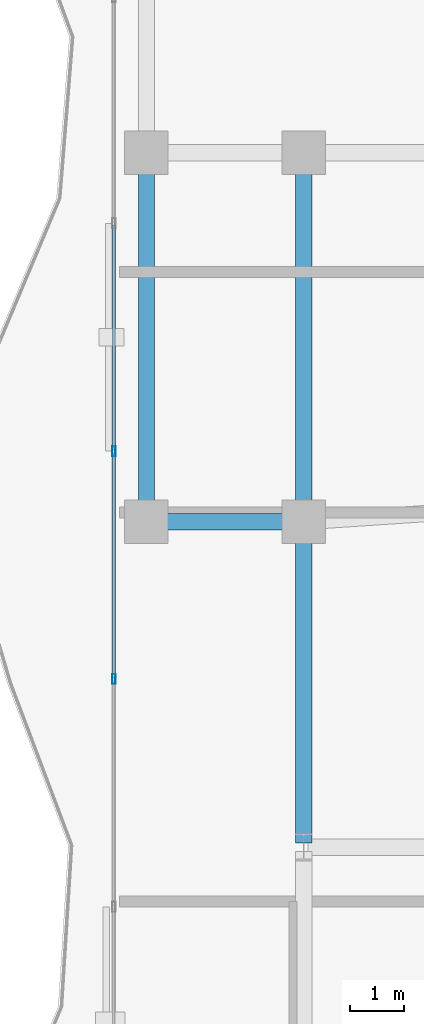
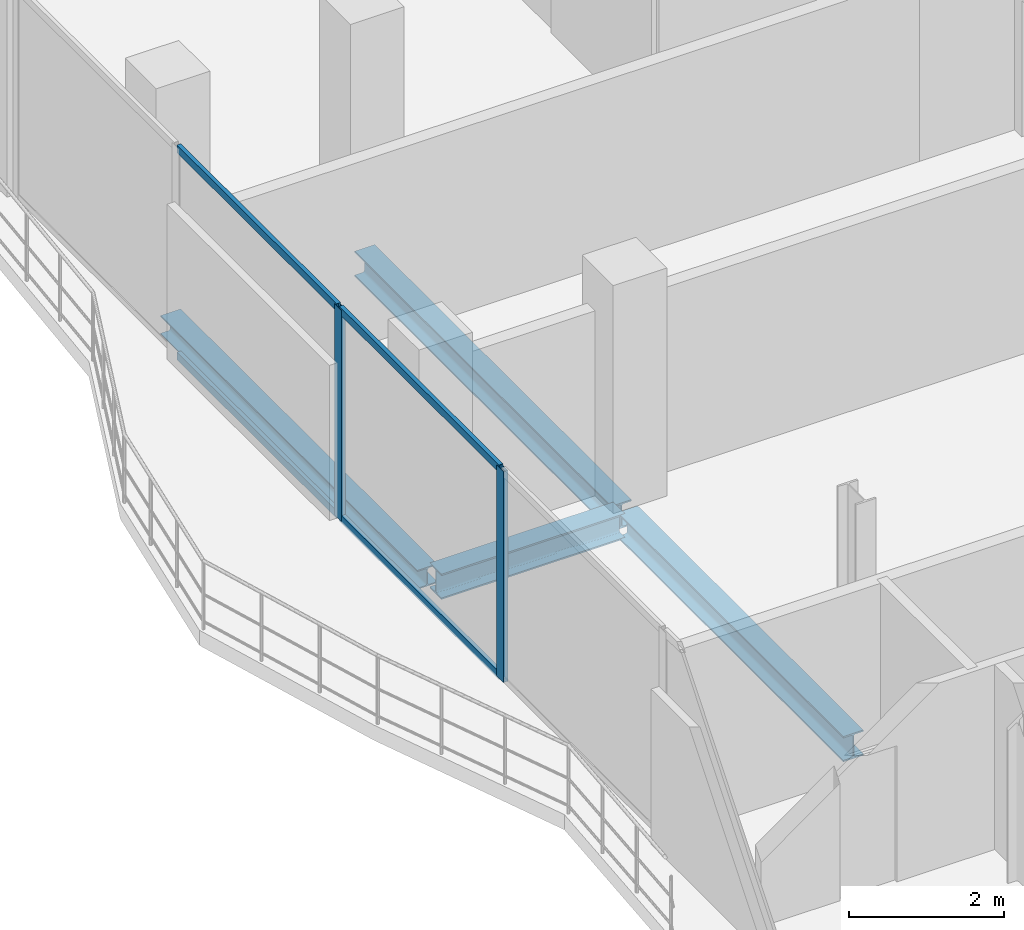
# One storey, part 7 of 23: 6 members, 4 beams, 1 element without a shape of its own.
"""IFC4 building model written with IfcOpenShell, lengths in metres."""

from ifc_helpers import new_model, si_unit, direction, frame, origin, origin_2d, place, context, subcontext, project, spatial, hollow_rectangle, i_section, extrude, material, layer, layer_set, material_profile, profile_set, type_object, element, aggregate, save


model = new_model("IFC4")

# Units and contexts
model_context = context("Model", 3, precision=1e-05, world=origin(), true_north=direction((0.0, 1.0)))
body_context = subcontext(model_context, "Body", "Model", "MODEL_VIEW")
ifc_project = project(units=[si_unit("LENGTHUNIT", "METRE"), si_unit("AREAUNIT", "SQUARE_METRE"), si_unit("VOLUMEUNIT", "CUBIC_METRE"), si_unit("PLANEANGLEUNIT", "RADIAN"), si_unit("MASSUNIT", "GRAM", prefix="KILO")], contexts=[model_context])

# Site, building, storey
site_placement = place(None, origin())
site = spatial("IfcSite", under=ifc_project, at=site_placement, CompositionType="ELEMENT")
building_placement = place(site_placement, origin())
building = spatial("IfcBuilding", under=site, at=building_placement, Name="Catumbela Crestline Tower", CompositionType="ELEMENT")
storey_placement = place(building_placement, frame((0.0, 0.0, 183.0)))
storey = spatial("IfcBuildingStorey", under=building, at=storey_placement, Name="L47", CompositionType="ELEMENT", Elevation=183.0)

# Beams
ifc_material_1 = material(Name="Structural steel S355J2", Category="steel")
ifc_material_profile_1 = material_profile(ifc_material_1, i_section(OverallWidth=0.3, OverallDepth=0.4, WebThickness=0.0135, FlangeThickness=0.024, FilletRadius=0.027, at=origin_2d()), Name="HEB 400")
ifc_profile_set_1 = profile_set([ifc_material_profile_1], Name="Structural steel S355J2")
beam_type_1 = type_object("IfcBeamType", Name="BG-HEB400", PredefinedType="BEAM", material=ifc_profile_set_1)
beam_1_placement = place(storey_placement, frame((5.68, 24.0, -0.46), z_axis=(1.0, 0.0, 0.0), x_axis=(0.0, 1.0, 0.0)))
element("IfcBeam", 1, at=beam_1_placement, inside=storey, type_object=beam_type_1, Name="L47 Beam BM-L47-S01", PredefinedType="BEAM", context=body_context, shape_type="SweptSolid", body=[
    extrude(i_section(OverallWidth=0.3, OverallDepth=0.4, WebThickness=0.0135, FlangeThickness=0.024, FilletRadius=0.027, at=origin_2d()), origin(), (0.0, 0.0, 1.0), 2.74),
])
beam_2_placement = place(storey_placement, frame((8.5, 24.08, -0.46), z_axis=(0.0, 1.0, 0.0), x_axis=(-1.0, 0.0, 0.0)))
element("IfcBeam", 2, at=beam_2_placement, inside=storey, type_object=beam_type_1, Name="L47 Beam BM-L47-SN16", PredefinedType="BEAM", context=body_context, shape_type="SweptSolid", body=[
    extrude(i_section(OverallWidth=0.3, OverallDepth=0.4, WebThickness=0.0135, FlangeThickness=0.024, FilletRadius=0.027, at=origin_2d()), origin(), (0.0, 0.0, 1.0), 6.64),
])
beam_3_placement = place(storey_placement, frame((8.5, 18.08, -0.46), z_axis=(0.0, 1.0, 0.0), x_axis=(-1.0, 0.0, 0.0)))
element("IfcBeam", 3, at=beam_3_placement, inside=storey, type_object=beam_type_1, Name="L47 Beam BM-L47-WNS39", PredefinedType="BEAM", context=body_context, shape_type="SweptSolid", body=[
    extrude(i_section(OverallWidth=0.3, OverallDepth=0.4, WebThickness=0.0135, FlangeThickness=0.024, FilletRadius=0.027, at=origin_2d()), origin(), (0.0, 0.0, 1.0), 5.84),
])

# Curtain wall, members
ifc_material_2 = material(Name="Aluminium alloy AW-6060-T66", Category="aluminium")
ifc_layer = layer(ifc_material_2, 0.18, Name="Aluminium alloy AW-6060-T66")
ifc_layer_set = layer_set([ifc_layer], Name="Aluminium alloy AW-6060-T66")
curtain_wall_type = type_object("IfcCurtainWallType", Name="CWU-Z3", PredefinedType="USERDEFINED", material=ifc_layer_set)
curtain_wall_placement = place(storey_placement, origin())
curtain_wall = element("IfcCurtainWall", 4, at=curtain_wall_placement, inside=storey, type_object=curtain_wall_type, Name="L47 Unitised Curtain Wall CW-L47-E9S2", ObjectType="UNITISED", PredefinedType="USERDEFINED")
ifc_material_profile_2 = material_profile(ifc_material_2, hollow_rectangle(XDim=0.065, YDim=0.18, WallThickness=0.004, at=origin_2d()), Name="ALU 180x65x4")
ifc_profile_set_2 = profile_set([ifc_material_profile_2], Name="Aluminium alloy AW-6060-T66")
member_type_1 = type_object("IfcMemberType", Name="MUL-180X65", PredefinedType="MULLION", material=ifc_profile_set_2)
member_1_placement = place(storey_placement, frame((5.0, 25.3, 0.0), z_axis=(0.0, 0.0, 1.0), x_axis=(1.0, 0.0, 0.0)))
member_1 = element("IfcMember", 5, at=member_1_placement, type_object=member_type_1, Name="CWU-Z3 mullion 3", PredefinedType="MULLION", context=body_context, shape_type="SweptSolid", body=[
    extrude(hollow_rectangle(XDim=0.065, YDim=0.18, WallThickness=0.004, at=origin_2d()), origin(), (0.0, 0.0, 1.0), 3.33),
])
member_2_placement = place(storey_placement, frame((5.0, 21.1, 0.0), z_axis=(0.0, 0.0, 1.0), x_axis=(1.0, 0.0, 0.0)))
member_2 = element("IfcMember", 6, at=member_2_placement, type_object=member_type_1, Name="CWU-Z3 mullion 4", PredefinedType="MULLION", context=body_context, shape_type="SweptSolid", body=[
    extrude(hollow_rectangle(XDim=0.065, YDim=0.18, WallThickness=0.004, at=origin_2d()), origin(), (0.0, 0.0, 1.0), 3.33),
])

# Beam
ifc_material_profile_3 = material_profile(ifc_material_1, i_section(OverallWidth=0.3, OverallDepth=0.3, WebThickness=0.011, FlangeThickness=0.019, FilletRadius=0.027, at=origin_2d()), Name="HEB 300")
ifc_profile_set_3 = profile_set([ifc_material_profile_3], Name="Structural steel S355J2")
beam_type_2 = type_object("IfcBeamType", Name="BS-HEB300", PredefinedType="SPANDREL", material=ifc_profile_set_3)
beam_4_placement = place(storey_placement, frame((5.6, 24.08, -0.41), z_axis=(0.0, 1.0, 0.0), x_axis=(-1.0, 0.0, 0.0)))
element("IfcBeam", 7, at=beam_4_placement, inside=storey, type_object=beam_type_2, Name="L47 Spandrel SP-L47-SN14", PredefinedType="SPANDREL", context=body_context, shape_type="SweptSolid", body=[
    extrude(i_section(OverallWidth=0.3, OverallDepth=0.3, WebThickness=0.011, FlangeThickness=0.019, FilletRadius=0.027, at=origin_2d()), origin(), (0.0, 0.0, 1.0), 6.64),
])

# Member
ifc_material_profile_4 = material_profile(ifc_material_2, hollow_rectangle(XDim=0.06, YDim=0.12, WallThickness=0.0035, at=origin_2d()), Name="ALU 120x60x3.5")
ifc_profile_set_4 = profile_set([ifc_material_profile_4], Name="Aluminium alloy AW-6060-T66")
member_type_2 = type_object("IfcMemberType", Name="TRN-120X60", PredefinedType="USERDEFINED", material=ifc_profile_set_4)
member_3_placement = place(storey_placement, frame((5.0, 29.4675, 0.03), z_axis=(0.0, -1.0, 0.0), x_axis=(1.0, 0.0, 0.0)))
member_3 = element("IfcMember", 8, at=member_3_placement, type_object=member_type_2, Name="CWU-Z3 transom 2.1", ObjectType="TRANSOM", PredefinedType="USERDEFINED", context=body_context, shape_type="SweptSolid", body=[
    extrude(hollow_rectangle(XDim=0.06, YDim=0.12, WallThickness=0.0035, at=origin_2d()), origin(), (0.0, 0.0, 1.0), 4.135),
])

member_4_placement = place(storey_placement, frame((5.0, 29.4675, 3.3), z_axis=(0.0, -1.0, 0.0), x_axis=(1.0, 0.0, 0.0)))
member_4 = element("IfcMember", 9, at=member_4_placement, type_object=member_type_2, Name="CWU-Z3 transom 2.2", ObjectType="TRANSOM", PredefinedType="USERDEFINED", context=body_context, shape_type="SweptSolid", body=[
    extrude(hollow_rectangle(XDim=0.06, YDim=0.12, WallThickness=0.0035, at=origin_2d()), origin(), (0.0, 0.0, 1.0), 4.135),
])

member_5_placement = place(storey_placement, frame((5.0, 25.2675, 0.03), z_axis=(0.0, -1.0, 0.0), x_axis=(1.0, 0.0, 0.0)))
member_5 = element("IfcMember", 10, at=member_5_placement, type_object=member_type_2, Name="CWU-Z3 transom 3.1", ObjectType="TRANSOM", PredefinedType="USERDEFINED", context=body_context, shape_type="SweptSolid", body=[
    extrude(hollow_rectangle(XDim=0.06, YDim=0.12, WallThickness=0.0035, at=origin_2d()), origin(), (0.0, 0.0, 1.0), 4.135),
])

member_6_placement = place(storey_placement, frame((5.0, 25.2675, 3.3), z_axis=(0.0, -1.0, 0.0), x_axis=(1.0, 0.0, 0.0)))
member_6 = element("IfcMember", 11, at=member_6_placement, type_object=member_type_2, Name="CWU-Z3 transom 3.2", ObjectType="TRANSOM", PredefinedType="USERDEFINED", context=body_context, shape_type="SweptSolid", body=[
    extrude(hollow_rectangle(XDim=0.06, YDim=0.12, WallThickness=0.0035, at=origin_2d()), origin(), (0.0, 0.0, 1.0), 4.135),
])

aggregate(curtain_wall, [member_1, member_2, member_3, member_4, member_5, member_6])

save(model, "model.ifc")
